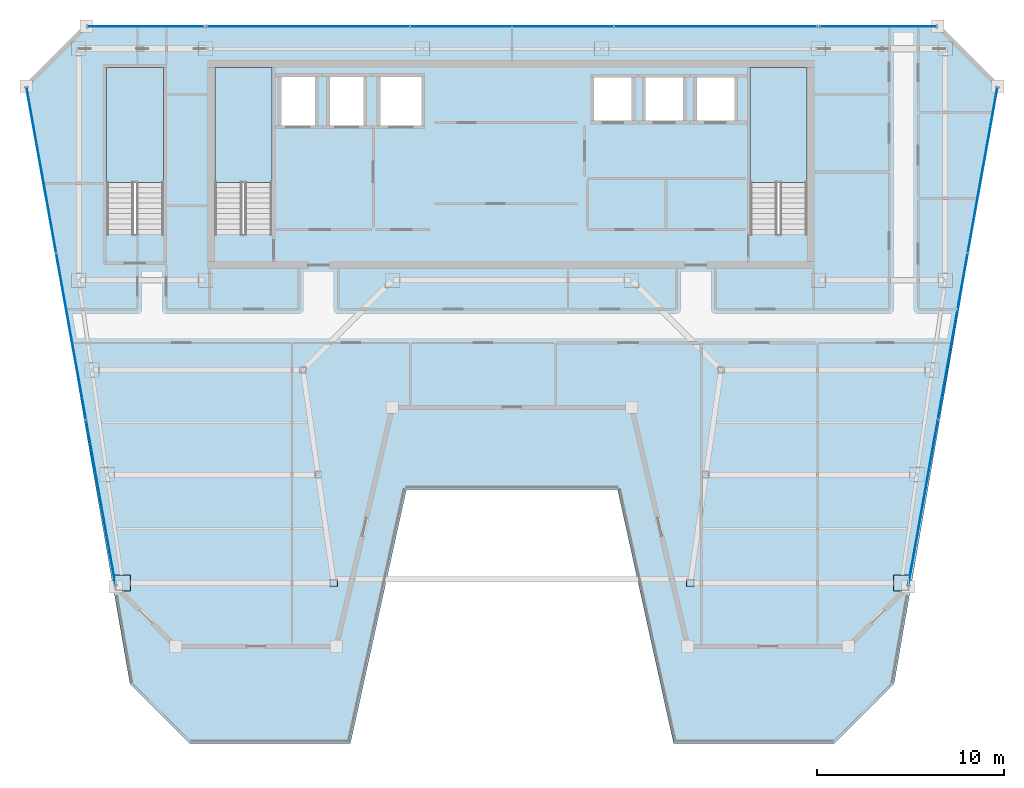
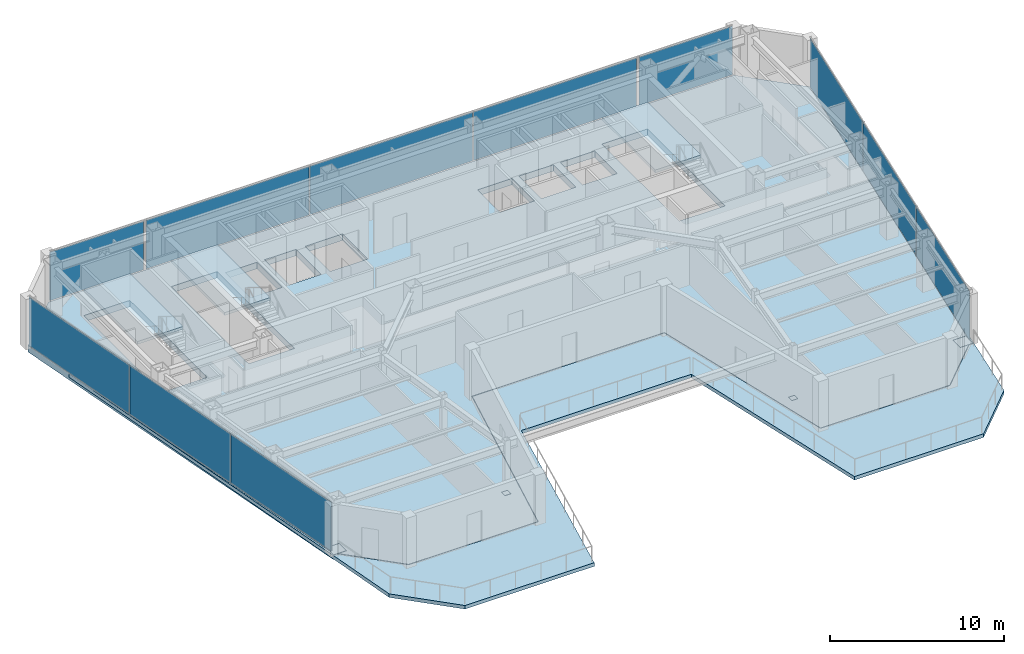
# One storey, part 18 of 28: 15 plates, 5 slabs, 8 elements without a shape of their own.
"""IFC4 building model written with IfcOpenShell, lengths in metres."""

from ifc_helpers import new_model, si_unit, direction, frame, origin, origin_2d, place, context, subcontext, project, spatial, polyline, rectangle, outline, extrude, material, layer, layer_set, type_object, element, aggregate, save


model = new_model("IFC4")

# Units and contexts
model_context = context("Model", 3, precision=1e-05, world=origin(), true_north=direction((0.0, 1.0)))
body_context = subcontext(model_context, "Body", "Model", "MODEL_VIEW")
ifc_project = project(units=[si_unit("LENGTHUNIT", "METRE"), si_unit("AREAUNIT", "SQUARE_METRE"), si_unit("VOLUMEUNIT", "CUBIC_METRE"), si_unit("PLANEANGLEUNIT", "RADIAN"), si_unit("MASSUNIT", "GRAM", prefix="KILO")], contexts=[model_context])

# Site, building, storey
site_placement = place(None, origin())
site = spatial("IfcSite", under=ifc_project, at=site_placement, CompositionType="ELEMENT")
building_placement = place(site_placement, origin())
building = spatial("IfcBuilding", under=site, at=building_placement, Name="Saevonmaru Cultural Tower", CompositionType="ELEMENT")
storey_placement = place(building_placement, frame((0.0, 0.0, 253.39990234375)))
storey = spatial("IfcBuildingStorey", under=building, at=storey_placement, Name="L59", CompositionType="ELEMENT", Elevation=253.39990234375)

# Plates
ifc_material_1 = material(Name="Steel HSA600 (600 MPa)", Category="steel")
ifc_layer_1 = layer(ifc_material_1, 0.0400390625, Name="Steel HSA600 (600 MPa)")
ifc_layer_set_1 = layer_set([ifc_layer_1], Name="Steel HSA600 (600 MPa)")
plate_type_1 = type_object("IfcPlateType", Name="PL-CAP-350", PredefinedType="USERDEFINED", material=ifc_layer_set_1)
for number, where, z_axis, x_axis, name in (
    (1, (39.5458984375, 26.199951171875, -0.034912109375), (0.0, 0.0, 1.0), (1.0, 0.0, 0.0), "Column base cap plate TC-EI-Y262"),
    (2, (20.4541015625, 26.199951171875, -0.034912109375), (0.0, 0.0, 1.0), (1.0, 0.0, 0.0), "Column base cap plate TC-WI-Y262"),
):
    element("IfcPlate", number, at=place(storey_placement, frame(where, z_axis=z_axis, x_axis=x_axis)), inside=storey, type_object=plate_type_1, Name=name, ObjectType="CAP_PLATE", PredefinedType="USERDEFINED", context=body_context, shape_type="SweptSolid", body=[
        extrude(rectangle(XDim=0.389892578125, YDim=0.389892578125, at=origin_2d()), origin(), (0.0, 0.0, 1.0), 0.0400390625),
    ])
ifc_layer_2 = layer(ifc_material_1, 0.0400390625, Name="Steel HSA600 (600 MPa)")
ifc_layer_set_2 = layer_set([ifc_layer_2], Name="Steel HSA600 (600 MPa)")
plate_type_2 = type_object("IfcPlateType", Name="PL-CAP-800", PredefinedType="USERDEFINED", material=ifc_layer_set_2)
for number, where, z_axis, x_axis, name in (
    (3, (50.845947265625, 26.199951171875, -0.034912109375), (0.0, 0.0, 1.0), (1.0, 0.0, 0.0), "Column base cap plate TC-EO-Y262"),
    (4, (9.154052734375, 26.199951171875, -0.034912109375), (0.0, 0.0, 1.0), (1.0, 0.0, 0.0), "Column base cap plate TC-WO-Y262"),
):
    element("IfcPlate", number, at=place(storey_placement, frame(where, z_axis=z_axis, x_axis=x_axis)), inside=storey, type_object=plate_type_2, Name=name, ObjectType="CAP_PLATE", PredefinedType="USERDEFINED", context=body_context, shape_type="SweptSolid", body=[
        extrude(rectangle(XDim=0.840087890625, YDim=0.840087890625, at=origin_2d()), origin(), (0.0, 0.0, 1.0), 0.0400390625),
    ])

# Curtain wall, plates
ifc_material_2 = material(Name="Satin Bronze Anodised Aluminium", Category="aluminium")
curtain_wall_type = type_object("IfcCurtainWallType", Name="CW-TYP-B", PredefinedType="NOTDEFINED", material=ifc_material_2)
curtain_wall_1_placement = place(storey_placement, origin())
curtain_wall_1 = element("IfcCurtainWall", 5, at=curtain_wall_1_placement, inside=storey, type_object=curtain_wall_type, Name="L59 Unitised Curtain Wall E8", PredefinedType="NOTDEFINED")
ifc_material_3 = material(Name="Triple Silver Low-E Insulating Glass", Category="glass")
ifc_layer_3 = layer(ifc_material_3, 0.035888671875, Name="Triple Silver Low-E Insulating Glass")
ifc_layer_set_3 = layer_set([ifc_layer_3], Name="Triple Silver Low-E Insulating Glass")
plate_type_3 = type_object("IfcPlateType", Name="PN-GLZ-IGU", PredefinedType="CURTAIN_PANEL", material=ifc_layer_set_3)
plate_1_placement = place(storey_placement, frame((52.0107421875, 30.506103515625, 0.067138671875), z_axis=(0.0, 0.0, 1.0), x_axis=(0.176140740755, 0.984364993001, 0.0)))
plate_1 = element("IfcPlate", 6, at=plate_1_placement, type_object=plate_type_3, Name="CW-TW-L59-E8 panel 1.1", PredefinedType="CURTAIN_PANEL", context=body_context, shape_type="SweptSolid", body=[
    extrude(rectangle(XDim=8.96630859375, YDim=0.035888671875, at=origin_2d()), origin(), (0.0, 0.0, 1.0), 3.416015625),
])
plate_2_placement = place(storey_placement, frame((53.602294921875, 39.39990234375, 0.067138671875), z_axis=(0.0, 0.0, 1.0), x_axis=(0.176140740755, 0.984364993001, 0.0)))
plate_2 = element("IfcPlate", 7, at=plate_2_placement, type_object=plate_type_3, Name="CW-TW-L59-E8 panel 2.1", PredefinedType="CURTAIN_PANEL", context=body_context, shape_type="SweptSolid", body=[
    extrude(rectangle(XDim=8.96630859375, YDim=0.035888671875, at=origin_2d()), origin(), (0.0, 0.0, 1.0), 3.416015625),
])
plate_3_placement = place(storey_placement, frame((55.193603515625, 48.2939453125, 0.067138671875), z_axis=(0.0, 0.0, 1.0), x_axis=(0.176140740755, 0.984364993001, 0.0)))
plate_3 = element("IfcPlate", 8, at=plate_3_placement, type_object=plate_type_3, Name="CW-TW-L59-E8 panel 3.1", PredefinedType="CURTAIN_PANEL", context=body_context, shape_type="SweptSolid", body=[
    extrude(rectangle(XDim=8.96630859375, YDim=0.035888671875, at=origin_2d()), origin(), (0.0, 0.0, 1.0), 3.416015625),
])
aggregate(curtain_wall_1, [plate_1, plate_2, plate_3])

curtain_wall_2_placement = place(storey_placement, origin())
curtain_wall_2 = element("IfcCurtainWall", 9, at=curtain_wall_2_placement, inside=storey, type_object=curtain_wall_type, Name="L59 North Spine Unitised Curtain Wall E10B", PredefinedType="NOTDEFINED")
plate_4_placement = place(storey_placement, frame((40.893310546875, 56.0, 0.067138671875), z_axis=(0.0, 0.0, 1.0), x_axis=(-1.0, 0.0, 0.0)))
plate_4 = element("IfcPlate", 10, at=plate_4_placement, type_object=plate_type_3, Name="CW-TW-L59-E10B panel 1.1", PredefinedType="CURTAIN_PANEL", context=body_context, shape_type="SweptSolid", body=[
    extrude(rectangle(XDim=10.82421875, YDim=0.035888671875, at=origin_2d()), origin(), (0.0, 0.0, 1.0), 3.416015625),
])
plate_5_placement = place(storey_placement, frame((30.0, 56.0, 0.067138671875), z_axis=(0.0, 0.0, 1.0), x_axis=(-1.0, 0.0, 0.0)))
plate_5 = element("IfcPlate", 11, at=plate_5_placement, type_object=plate_type_3, Name="CW-TW-L59-E10B panel 2.1", PredefinedType="CURTAIN_PANEL", context=body_context, shape_type="SweptSolid", body=[
    extrude(rectangle(XDim=10.82421875, YDim=0.035888671875, at=origin_2d()), origin(), (0.0, 0.0, 1.0), 3.416015625),
])
plate_6_placement = place(storey_placement, frame((19.106689453125, 56.0, 0.067138671875), z_axis=(0.0, 0.0, 1.0), x_axis=(-1.0, 0.0, 0.0)))
plate_6 = element("IfcPlate", 12, at=plate_6_placement, type_object=plate_type_3, Name="CW-TW-L59-E10B panel 3.1", PredefinedType="CURTAIN_PANEL", context=body_context, shape_type="SweptSolid", body=[
    extrude(rectangle(XDim=10.82421875, YDim=0.035888671875, at=origin_2d()), origin(), (0.0, 0.0, 1.0), 3.416015625),
])
aggregate(curtain_wall_2, [plate_4, plate_5, plate_6])

curtain_wall_3_placement = place(storey_placement, origin())
curtain_wall_3 = element("IfcCurtainWall", 13, at=curtain_wall_3_placement, inside=storey, type_object=curtain_wall_type, Name="L59 Unitised Curtain Wall E12", PredefinedType="NOTDEFINED")
plate_7_placement = place(storey_placement, frame((4.806396484375, 48.2939453125, 0.067138671875), z_axis=(0.0, 0.0, 1.0), x_axis=(0.176140740755, -0.984364993001, 0.0)))
plate_7 = element("IfcPlate", 14, at=plate_7_placement, type_object=plate_type_3, Name="CW-TW-L59-E12 panel 1.1", PredefinedType="CURTAIN_PANEL", context=body_context, shape_type="SweptSolid", body=[
    extrude(rectangle(XDim=8.96630859375, YDim=0.035888671875, at=origin_2d()), origin(), (0.0, 0.0, 1.0), 3.416015625),
])
plate_8_placement = place(storey_placement, frame((6.397705078125, 39.39990234375, 0.067138671875), z_axis=(0.0, 0.0, 1.0), x_axis=(0.176140740755, -0.984364993001, 0.0)))
plate_8 = element("IfcPlate", 15, at=plate_8_placement, type_object=plate_type_3, Name="CW-TW-L59-E12 panel 2.1", PredefinedType="CURTAIN_PANEL", context=body_context, shape_type="SweptSolid", body=[
    extrude(rectangle(XDim=8.96630859375, YDim=0.035888671875, at=origin_2d()), origin(), (0.0, 0.0, 1.0), 3.416015625),
])
plate_9_placement = place(storey_placement, frame((7.9892578125, 30.506103515625, 0.067138671875), z_axis=(0.0, 0.0, 1.0), x_axis=(0.176140740755, -0.984364993001, 0.0)))
plate_9 = element("IfcPlate", 16, at=plate_9_placement, type_object=plate_type_3, Name="CW-TW-L59-E12 panel 3.1", PredefinedType="CURTAIN_PANEL", context=body_context, shape_type="SweptSolid", body=[
    extrude(rectangle(XDim=8.96630859375, YDim=0.035888671875, at=origin_2d()), origin(), (0.0, 0.0, 1.0), 3.416015625),
])
aggregate(curtain_wall_3, [plate_7, plate_8, plate_9])

# Curtain wall, plate
curtain_wall_4_placement = place(storey_placement, origin())
curtain_wall_4 = element("IfcCurtainWall", 17, at=curtain_wall_4_placement, inside=storey, type_object=curtain_wall_type, Name="L59 East Braced Bay Spandrel Curtain Wall E10A", PredefinedType="NOTDEFINED")
ifc_material_4 = material(Name="Insulated Satin Bronze Aluminium Spandrel Panel", Category="aluminium")
ifc_layer_4 = layer(ifc_material_4, 0.0400390625, Name="Insulated Satin Bronze Aluminium Spandrel Panel")
ifc_layer_set_4 = layer_set([ifc_layer_4], Name="Insulated Satin Bronze Aluminium Spandrel Panel")
plate_type_4 = type_object("IfcPlateType", Name="PN-SPANDREL-BRONZE", PredefinedType="CURTAIN_PANEL", material=ifc_layer_set_4)
plate_10_placement = place(storey_placement, frame((49.60009765625, 56.0, 0.067138671875), z_axis=(0.0, 0.0, 1.0), x_axis=(-1.0, 0.0, 0.0)))
plate_10 = element("IfcPlate", 18, at=plate_10_placement, type_object=plate_type_4, Name="CW-TW-L59-E10A panel 1.1", PredefinedType="CURTAIN_PANEL", context=body_context, shape_type="SweptSolid", body=[
    extrude(rectangle(XDim=6.2109375, YDim=0.035888671875, at=origin_2d()), origin(), (0.0, 0.0, 1.0), 3.416015625),
])
aggregate(curtain_wall_4, [plate_10])

curtain_wall_5_placement = place(storey_placement, origin())
curtain_wall_5 = element("IfcCurtainWall", 19, at=curtain_wall_5_placement, inside=storey, type_object=curtain_wall_type, Name="L59 West Braced Bay Spandrel Curtain Wall E10C", PredefinedType="NOTDEFINED")
plate_11_placement = place(storey_placement, frame((10.39990234375, 56.0, 0.067138671875), z_axis=(0.0, 0.0, 1.0), x_axis=(-1.0, 0.0, 0.0)))
plate_11 = element("IfcPlate", 20, at=plate_11_placement, type_object=plate_type_4, Name="CW-TW-L59-E10C panel 1.1", PredefinedType="CURTAIN_PANEL", context=body_context, shape_type="SweptSolid", body=[
    extrude(rectangle(XDim=6.2109375, YDim=0.035888671875, at=origin_2d()), origin(), (0.0, 0.0, 1.0), 3.416015625),
])
aggregate(curtain_wall_5, [plate_11])

# Slab
ifc_material_5 = material(Name="Concrete C50/60", Category="concrete")
ifc_layer_5 = layer(ifc_material_5, 0.449951171875, Name="Concrete C50/60")
ifc_layer_set_5 = layer_set([ifc_layer_5], Name="Concrete C50/60")
slab_type_1 = type_object("IfcSlabType", Name="SL-FLR-450", PredefinedType="FLOOR", material=ifc_layer_set_5)
slab_1_placement = place(storey_placement, frame((0.0, 0.0, -0.449951171875)))
element("IfcSlab", 21, at=slab_1_placement, inside=storey, type_object=slab_type_1, Name="L59 Tower Structural Floor Slab", PredefinedType="FLOOR", context=body_context, shape_type="SweptSolid", body=[
    extrude(outline(polyline([(8.795654296875, 26.0), (11.99560546875, 22.800048828125), (20.595703125, 22.800048828125), (23.595703125, 35.60009765625), (36.404296875, 35.60009765625), (39.404296875, 22.800048828125), (48.00439453125, 22.800048828125), (51.204345703125, 26.0), (56.0, 52.800048828125), (52.800048828125, 56.0), (7.199951171875, 56.0), (4.0, 52.800048828125), (8.795654296875, 26.0)]), holes=[polyline([(45.800048828125, 53.800048828125), (45.800048828125, 44.875), (42.75, 44.875), (42.75, 53.800048828125), (45.800048828125, 53.800048828125)]), polyline([(39.75, 50.800048828125), (39.75, 53.39990234375), (42.050048828125, 53.39990234375), (42.050048828125, 50.800048828125), (39.75, 50.800048828125)]), polyline([(37.0, 50.800048828125), (37.0, 53.39990234375), (39.300048828125, 53.39990234375), (39.300048828125, 50.800048828125), (37.0, 50.800048828125)]), polyline([(36.550048828125, 50.800048828125), (34.25, 50.800048828125), (34.25, 53.39990234375), (36.550048828125, 53.39990234375), (36.550048828125, 50.800048828125)]), polyline([(25.300048828125, 50.550048828125), (22.800048828125, 50.550048828125), (22.800048828125, 53.449951171875), (25.300048828125, 53.449951171875), (25.300048828125, 50.550048828125)]), polyline([(22.199951171875, 50.550048828125), (20.10009765625, 50.550048828125), (20.10009765625, 53.449951171875), (22.199951171875, 53.449951171875), (22.199951171875, 50.550048828125)]), polyline([(19.60009765625, 50.550048828125), (17.5, 50.550048828125), (17.5, 53.449951171875), (19.60009765625, 53.449951171875), (19.60009765625, 50.550048828125)]), polyline([(17.14990234375, 53.800048828125), (17.14990234375, 44.875), (14.10009765625, 44.875), (14.10009765625, 53.800048828125), (17.14990234375, 53.800048828125)]), polyline([(11.35009765625, 53.800048828125), (11.35009765625, 44.875), (8.300048828125, 44.875), (8.300048828125, 53.800048828125), (11.35009765625, 53.800048828125)])]), origin(), (0.0, 0.0, 1.0), 0.449951171875),
])

# Stair, slab
ifc_material_6 = material(Name="Concrete C40/50", Category="concrete")
stair_type = type_object("IfcStairType", Name="STR-DOGLEG-RC", PredefinedType="HALF_TURN_STAIR", material=ifc_material_6)
stair_1_placement = place(storey_placement, origin())
stair_1 = element("IfcStair", 22, at=stair_1_placement, inside=storey, type_object=stair_type, Name="L59 Protected exit stair ST-1", PredefinedType="HALF_TURN_STAIR")
ifc_layer_6 = layer(ifc_material_6, 0.199951171875, Name="Concrete C40/50")
ifc_layer_set_6 = layer_set([ifc_layer_6], Name="Concrete C40/50")
slab_type_2 = type_object("IfcSlabType", Name="SL-STAIR-LANDING", PredefinedType="LANDING", material=ifc_layer_set_6)
slab_2_placement = place(storey_placement, frame((0.0, 0.0, 1.7001953125)))
slab_2 = element("IfcSlab", 23, at=slab_2_placement, type_object=slab_type_2, Name="ST-1-L59 landing 1", PredefinedType="LANDING", context=body_context, shape_type="SweptSolid", body=[
    extrude(outline(polyline([(17.14990234375, 47.64990234375), (17.14990234375, 53.800048828125), (14.10009765625, 53.800048828125), (14.10009765625, 47.64990234375), (17.14990234375, 47.64990234375)])), origin(), (0.0, 0.0, 1.0), 0.199951171875),
])
aggregate(stair_1, [slab_2])

stair_2_placement = place(storey_placement, origin())
stair_2 = element("IfcStair", 24, at=stair_2_placement, inside=storey, type_object=stair_type, Name="L59 Protected exit stair ST-2", PredefinedType="HALF_TURN_STAIR")
slab_3_placement = place(storey_placement, frame((0.0, 0.0, 1.7001953125)))
slab_3 = element("IfcSlab", 25, at=slab_3_placement, type_object=slab_type_2, Name="ST-2-L59 landing 1", PredefinedType="LANDING", context=body_context, shape_type="SweptSolid", body=[
    extrude(outline(polyline([(45.800048828125, 47.64990234375), (45.800048828125, 53.800048828125), (42.75, 53.800048828125), (42.75, 47.64990234375), (45.800048828125, 47.64990234375)])), origin(), (0.0, 0.0, 1.0), 0.199951171875),
])
aggregate(stair_2, [slab_3])

stair_3_placement = place(storey_placement, origin())
stair_3 = element("IfcStair", 26, at=stair_3_placement, inside=storey, type_object=stair_type, Name="L59 Protected exit stair ST-3", PredefinedType="HALF_TURN_STAIR")
slab_4_placement = place(storey_placement, frame((0.0, 0.0, 1.7001953125)))
slab_4 = element("IfcSlab", 27, at=slab_4_placement, type_object=slab_type_2, Name="ST-3-L59 landing 1", PredefinedType="LANDING", context=body_context, shape_type="SweptSolid", body=[
    extrude(outline(polyline([(11.35009765625, 47.64990234375), (11.35009765625, 53.800048828125), (8.300048828125, 53.800048828125), (8.300048828125, 47.64990234375), (11.35009765625, 47.64990234375)])), origin(), (0.0, 0.0, 1.0), 0.199951171875),
])
aggregate(stair_3, [slab_4])

# Slab
ifc_layer_7 = layer(ifc_material_6, 0.25, Name="Concrete C40/50")
ifc_layer_set_7 = layer_set([ifc_layer_7], Name="Concrete C40/50")
slab_type_3 = type_object("IfcSlabType", Name="SL-TERR-250", PredefinedType="FLOOR", material=ifc_layer_set_7)
slab_5_placement = place(storey_placement, frame((0.0, 0.0, -0.25)))
element("IfcSlab", 28, at=slab_5_placement, inside=storey, type_object=slab_type_3, Name="L59 Sawtooth Setback Roof Terrace 1", PredefinedType="FLOOR", context=body_context, shape_type="SweptSolid", body=[
    extrude(outline(polyline([(55.371826171875, 49.17578125), (51.22412109375, 25.99658203125), (51.2236328125, 25.994384765625), (51.222900390625, 25.99267578125), (51.22216796875, 25.99072265625), (51.22119140625, 25.989013671875), (51.219970703125, 25.9873046875), (51.218505859375, 25.98583984375), (48.0185546875, 22.785888671875), (48.01708984375, 22.784423828125), (48.015380859375, 22.783447265625), (48.013916015625, 22.782470703125), (48.01220703125, 22.781494140625), (48.01025390625, 22.781005859375), (48.00830078125, 22.780517578125), (48.00634765625, 22.780029296875), (48.00439453125, 22.780029296875), (39.404296875, 22.780029296875), (39.402587890625, 22.780029296875), (39.400634765625, 22.780517578125), (39.398681640625, 22.78076171875), (39.39697265625, 22.781494140625), (39.395263671875, 22.7822265625), (39.3935546875, 22.783203125), (39.39208984375, 22.7841796875), (39.390380859375, 22.78564453125), (39.38916015625, 22.787109375), (39.387939453125, 22.78857421875), (39.386962890625, 22.7900390625), (39.38623046875, 22.791748046875), (39.385498046875, 22.793701171875), (39.385009765625, 22.79541015625), (36.388427734375, 35.580078125), (23.611572265625, 35.580078125), (20.614990234375, 22.79541015625), (20.614501953125, 22.793701171875), (20.61376953125, 22.791748046875), (20.613037109375, 22.7900390625), (20.612060546875, 22.78857421875), (20.61083984375, 22.787109375), (20.609619140625, 22.78564453125), (20.60791015625, 22.7841796875), (20.6064453125, 22.783203125), (20.604736328125, 22.7822265625), (20.60302734375, 22.781494140625), (20.601318359375, 22.78076171875), (20.599365234375, 22.780517578125), (20.597412109375, 22.780029296875), (20.595703125, 22.780029296875), (11.99560546875, 22.780029296875), (11.99365234375, 22.780029296875), (11.99169921875, 22.780517578125), (11.98974609375, 22.781005859375), (11.98779296875, 22.781494140625), (11.986083984375, 22.782470703125), (11.984619140625, 22.783447265625), (11.98291015625, 22.784423828125), (11.9814453125, 22.785888671875), (8.781494140625, 25.98583984375), (8.780029296875, 25.9873046875), (8.77880859375, 25.989013671875), (8.77783203125, 25.99072265625), (8.777099609375, 25.99267578125), (8.7763671875, 25.994384765625), (8.77587890625, 25.99658203125), (4.628173828125, 49.17578125), (9.546630859375, 20.800048828125), (12.74658203125, 17.60009765625), (21.3466796875, 17.60009765625), (24.3466796875, 31.199951171875), (35.6533203125, 31.199951171875), (38.6533203125, 17.60009765625), (47.25341796875, 17.60009765625), (50.453369140625, 20.800048828125), (55.371826171875, 49.17578125)])), origin(), (0.0, 0.0, 1.0), 0.25),
])

save(model, "model.ifc")
